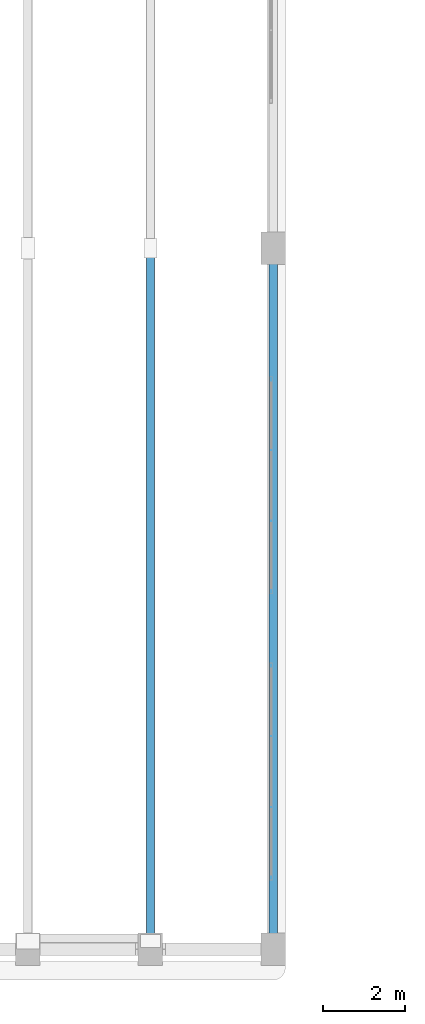
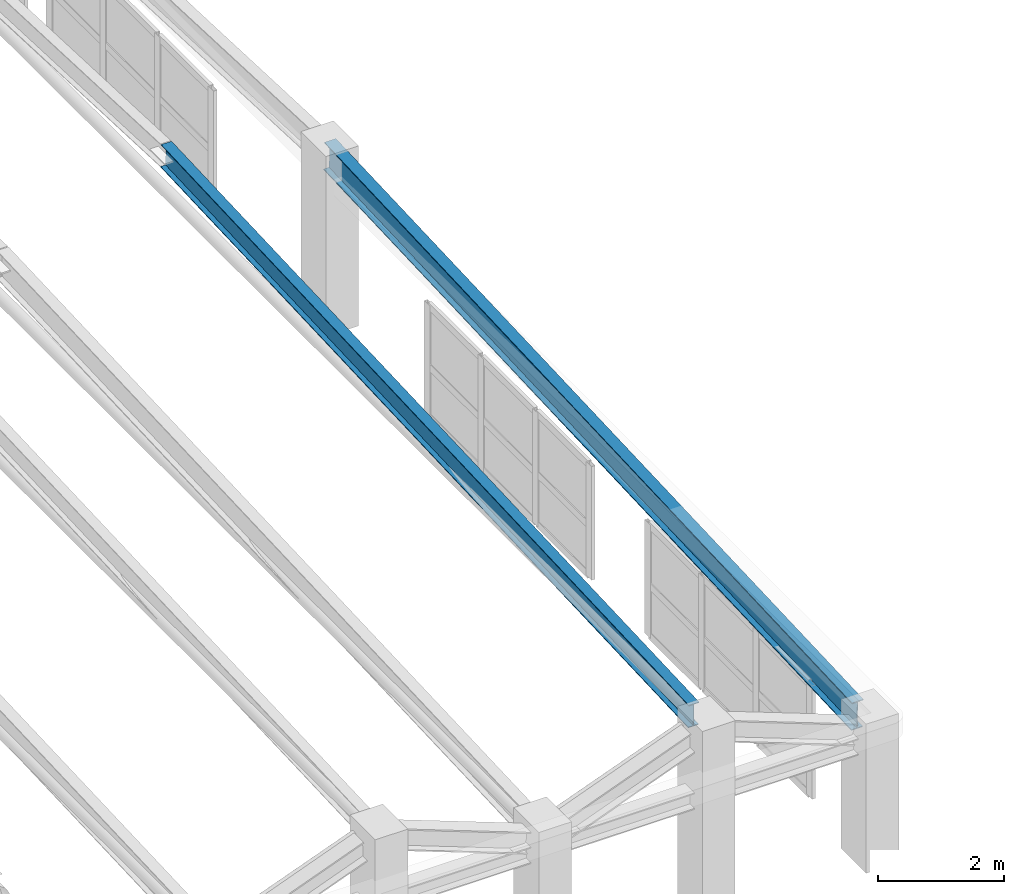
# One storey, part 28 of 128: 2 beams.
"""IFC4 building model written with IfcOpenShell, lengths in metres."""

import ifcopenshell
import ifcopenshell.guid

model = None  # the IFC model being written
_history = None  # IfcOwnerHistory: only IFC2X3 demands one
_inside = {}  # id of a spatial element -> (the spatial element, [elements in it])
_under = {}  # id of a project, library or spatial element -> (it, [spatial elements below it])
_declared = {}  # id of a project -> (the project, [libraries it declares])
_typed = {}  # id of a type object -> (the type object, [elements of that type])
_made_of = {}  # id of a material, layer set ... -> (it, [elements and type objects made of it])


def new_model(schema):
    """Start an empty IFC model of exactly this schema.

    Asked for "IFC4X3", IfcOpenShell would pick the latest addendum, in which some entities
    have other attributes; the version numbers below select the first issue.
    IFC2X3 requires an IfcOwnerHistory on every rooted entity: one is made here for all.
    """
    global model, _history
    if schema == "IFC4X3":
        model = ifcopenshell.file(schema_version=(4, 3, 0, 0))
    else:
        model = ifcopenshell.file(schema=schema)
    _inside.clear()
    _under.clear()
    _declared.clear()
    _typed.clear()
    _made_of.clear()
    _history = None
    if model.schema == "IFC2X3":
        org = make("IfcOrganization", Name="unknown")
        user = make(
            "IfcPersonAndOrganization",
            ThePerson=make("IfcPerson", FamilyName="unknown"),
            TheOrganization=org,
        )
        app = make(
            "IfcApplication",
            ApplicationDeveloper=org,
            Version="unknown",
            ApplicationFullName="unknown",
            ApplicationIdentifier="unknown",
        )
        _history = make(
            "IfcOwnerHistory",
            OwningUser=user,
            OwningApplication=app,
            ChangeAction="ADDED",
            CreationDate=0,
        )
    return model


def make(cls, **values):
    """One entity of the class cls with the attributes given. An attribute that is None is left unset."""
    return model.create_entity(
        cls, **{name: value for name, value in values.items() if value is not None}
    )


def rooted(cls, **values):
    """An entity with a GlobalId (a new one), such as an element, a storey or a relation."""
    return make(cls, GlobalId=ifcopenshell.guid.new(), OwnerHistory=_history, **values)


def si_unit(unit_type, name, prefix=None):
    """IfcSIUnit, for example si_unit("LENGTHUNIT", "METRE", prefix="MILLI")."""
    return make("IfcSIUnit", UnitType=unit_type, Prefix=prefix, Name=name)


def assignment(units):
    """IfcUnitAssignment: the units of a project."""
    return None if units is None else make("IfcUnitAssignment", Units=units)


def point(xyz):
    """IfcCartesianPoint."""
    return None if xyz is None else make("IfcCartesianPoint", Coordinates=xyz)


def direction(xyz):
    """IfcDirection."""
    return None if xyz is None else make("IfcDirection", DirectionRatios=xyz)


def frame(location, z_axis=None, x_axis=None):
    """IfcAxis2Placement3D, a coordinate frame: its origin and axes. An axis left out is left unset."""
    return make(
        "IfcAxis2Placement3D",
        Location=point(location),
        Axis=direction(z_axis),
        RefDirection=direction(x_axis),
    )


def frame_2d(location, x_axis=None):
    """IfcAxis2Placement2D, a coordinate frame in the plane: its origin and x axis."""
    return make(
        "IfcAxis2Placement2D", Location=point(location), RefDirection=direction(x_axis)
    )


def origin():
    """The frame at (0, 0, 0) with its axes left unset."""
    return frame((0.0, 0.0, 0.0))


def origin_2d():
    """The frame at (0, 0) in the plane with its x axis left unset."""
    return frame_2d((0.0, 0.0))


def place(relative_to, where):
    """IfcLocalPlacement: puts the frame where relative to a parent placement (None: the world)."""
    return make(
        "IfcLocalPlacement", PlacementRelTo=relative_to, RelativePlacement=where
    )


def context(
    kind, dimensions, precision=None, world=None, true_north=None, identifier=None
):
    """IfcGeometricRepresentationContext, for example the 3D "Model" context."""
    return make(
        "IfcGeometricRepresentationContext",
        ContextIdentifier=identifier,
        ContextType=kind,
        CoordinateSpaceDimension=dimensions,
        Precision=precision,
        WorldCoordinateSystem=world,
        TrueNorth=true_north,
    )


def subcontext(parent, identifier, kind, view, scale=None):
    """IfcGeometricRepresentationSubContext, for example "Body" below "Model"."""
    return make(
        "IfcGeometricRepresentationSubContext",
        ContextIdentifier=identifier,
        ContextType=kind,
        ParentContext=parent,
        TargetScale=scale,
        TargetView=view,
    )


def project(units=None, contexts=None):
    """IfcProject with its units and contexts."""
    return rooted(
        "IfcProject",
        Name="project",
        RepresentationContexts=contexts,
        UnitsInContext=assignment(units),
    )


def spatial(cls, under=None, at=None, **own):
    """A site, building, storey or space (cls), placed at a placement, below another one or the project."""
    s = rooted(cls, ObjectPlacement=at, **own)
    if under is not None:
        _under.setdefault(under.id(), (under, []))[1].append(s)
    return s


def profile(cls, at=None, kind="AREA", **sizes):
    """A parametric profile (cls). Its sizes go by their IFC names, for example OverallWidth=200.0."""
    return make(cls, ProfileType=kind, Position=at, **sizes)


def i_section(**sizes):
    """IfcIShapeProfileDef."""
    return profile("IfcIShapeProfileDef", **sizes)


def extrude(swept, where, along, depth):
    """IfcExtrudedAreaSolid: the profile swept, set in the frame where, extruded along a direction by depth."""
    return make(
        "IfcExtrudedAreaSolid",
        SweptArea=swept,
        Position=where,
        ExtrudedDirection=direction(along),
        Depth=depth,
    )


def shape(context_of_items, identifier, shape_type, items):
    """IfcShapeRepresentation: the items that make up one representation, for example the "Body"."""
    return make(
        "IfcShapeRepresentation",
        ContextOfItems=context_of_items,
        RepresentationIdentifier=identifier,
        RepresentationType=shape_type,
        Items=items,
    )


def material(Name=None, Category=None):
    """IfcMaterial."""
    return make("IfcMaterial", Name=Name, Category=Category)


def material_profile(
    of_material, cross_section, Name=None, Category=None, Priority=None
):
    """IfcMaterialProfile: a cross section and its material."""
    return make(
        "IfcMaterialProfile",
        Name=Name,
        Material=of_material,
        Profile=cross_section,
        Priority=Priority,
        Category=Category,
    )


def profile_set(profiles, Name=None, composite=None):
    """IfcMaterialProfileSet."""
    return make(
        "IfcMaterialProfileSet",
        Name=Name,
        MaterialProfiles=profiles,
        CompositeProfile=composite,
    )


def made_of(thing, what):
    """Note that an element or type object is made of a material, layer set ...; save() writes the relation."""
    if what is not None:
        _made_of.setdefault(what.id(), (what, []))[1].append(thing)
    return thing


def type_object(cls, material=None, **own):
    """A type object (cls), such as IfcWallType, which elements share."""
    return made_of(rooted(cls, **own), material)


def element(
    cls,
    number,
    at=None,
    inside=None,
    cuts=None,
    type_object=None,
    material=None,
    context=None,
    identifier="Body",
    shape_type=None,
    held_by="IfcProductDefinitionShape",
    body=None,
    shapes=None,
    **own,
):
    """One element of the class cls, such as IfcWall. Its Tag is "e" and its number.

    at: its placement. inside: the storey or other place that contains it. cuts: it is an
    opening in that element (IfcRelVoidsElement). A single representation is given by context,
    identifier, shape_type and body (its items); several are given by shapes. held_by: the class
    of the entity that holds the representations. save() writes the other relations.
    """
    e = rooted(cls, Tag="e%d" % number, ObjectPlacement=at, **own)
    if body is not None:
        shapes = [shape(context, identifier, shape_type, body)]
    if shapes is not None:
        e.Representation = make(held_by, Representations=shapes)
    if inside is not None:
        _inside.setdefault(inside.id(), (inside, []))[1].append(e)
    if cuts is not None:
        rooted(
            "IfcRelVoidsElement", RelatingBuildingElement=cuts, RelatedOpeningElement=e
        )
    if type_object is not None:
        _typed.setdefault(type_object.id(), (type_object, []))[1].append(e)
    return made_of(e, material)


def aggregate(whole, parts):
    """IfcRelAggregates: a whole, such as a stair, and the parts it consists of."""
    return rooted("IfcRelAggregates", RelatingObject=whole, RelatedObjects=parts)


def save(model, path):
    """Write the relations noted so far, then the file.

    IfcRelAggregates (storeys below a building ...), IfcRelContainedInSpatialStructure (elements
    in a storey), IfcRelDefinesByType, IfcRelAssociatesMaterial and IfcRelDeclares: one each for
    every whole, place, type object, material and project.
    """
    for whole, parts in _under.values():
        aggregate(whole, parts)
    for where, things in _inside.values():
        rooted(
            "IfcRelContainedInSpatialStructure",
            RelatedElements=things,
            RelatingStructure=where,
        )
    for kind, things in _typed.values():
        rooted("IfcRelDefinesByType", RelatedObjects=things, RelatingType=kind)
    for what, things in _made_of.values():
        rooted("IfcRelAssociatesMaterial", RelatedObjects=things, RelatingMaterial=what)
    for by, libraries in _declared.values():
        rooted("IfcRelDeclares", RelatingContext=by, RelatedDefinitions=libraries)
    model.write(path)


model = new_model("IFC4")

# Units and contexts
model_context = context("Model", 3, precision=1e-05, world=origin(), true_north=direction((0.0, 1.0)))
body_context = subcontext(model_context, "Body", "Model", "MODEL_VIEW")
ifc_project = project(units=[si_unit("LENGTHUNIT", "METRE"), si_unit("AREAUNIT", "SQUARE_METRE"), si_unit("VOLUMEUNIT", "CUBIC_METRE"), si_unit("PLANEANGLEUNIT", "RADIAN"), si_unit("MASSUNIT", "GRAM", prefix="KILO")], contexts=[model_context])

# Site, building, storey
site_placement = place(None, origin())
site = spatial("IfcSite", under=ifc_project, at=site_placement, CompositionType="ELEMENT")
building_placement = place(site_placement, origin())
building = spatial("IfcBuilding", under=site, at=building_placement, Name="Keldmere Railside Commons", CompositionType="ELEMENT")
storey_placement = place(building_placement, frame((0.0, 0.0, 4.159912109375)))
storey = spatial("IfcBuildingStorey", under=building, at=storey_placement, Name="L01", CompositionType="ELEMENT", Elevation=4.159912109375)

# Beams
ifc_material = material(Name="Steel F-36 (S355)", Category="steel")
ifc_material_profile_1 = material_profile(ifc_material, i_section(OverallWidth=0.18994140625, OverallDepth=0.449951171875, WebThickness=0.009521484375, FlangeThickness=0.0146484375, at=origin_2d()), Name="IPE-450")
ifc_profile_set_1 = profile_set([ifc_material_profile_1], Name="Steel F-36 (S355)")
beam_type_1 = type_object("IfcBeamType", Name="Folded-Plate Steel Ridge Rib IPE450", PredefinedType="BEAM", material=ifc_profile_set_1)
beam_1_placement = place(storey_placement, frame((103.0, 12.85009765625, 3.530029296875), z_axis=(0.0, 0.999102933585, 0.042347704799), x_axis=(-1.0, 0.0, 0.0)))
element("IfcBeam", 1, at=beam_1_placement, inside=storey, type_object=beam_type_1, Name="FPR-1 BM-L01-2653", PredefinedType="BEAM", context=body_context, shape_type="SweptSolid", body=[
    extrude(i_section(OverallWidth=0.18994140625, OverallDepth=0.449951171875, WebThickness=0.009521484375, FlangeThickness=0.0146484375, at=origin_2d()), origin(), (0.0, 0.0, 1.0), 16.76513671875),
])
ifc_material_profile_2 = material_profile(ifc_material, i_section(OverallWidth=0.2099609375, OverallDepth=0.550048828125, WebThickness=0.010986328125, FlangeThickness=0.01708984375, at=origin_2d()), Name="IPE-550")
ifc_profile_set_2 = profile_set([ifc_material_profile_2], Name="Steel F-36 (S355)")
beam_type_2 = type_object("IfcBeamType", Name="Folded-Plate Steel Valley Rib IPE550", PredefinedType="BEAM", material=ifc_profile_set_2)
beam_2_placement = place(storey_placement, frame((106.0, 12.85009765625, 2.47998046875), z_axis=(0.0, 0.999102317345, 0.042362241155), x_axis=(-1.0, 0.0, 0.0)))
element("IfcBeam", 2, at=beam_2_placement, inside=storey, type_object=beam_type_2, Name="FPV-1 BM-L01-2655", PredefinedType="BEAM", context=body_context, shape_type="SweptSolid", body=[
    extrude(i_section(OverallWidth=0.2099609375, OverallDepth=0.550048828125, WebThickness=0.010986328125, FlangeThickness=0.01708984375, at=origin_2d()), origin(), (0.0, 0.0, 1.0), 16.76513671875),
])

save(model, "model.ifc")
